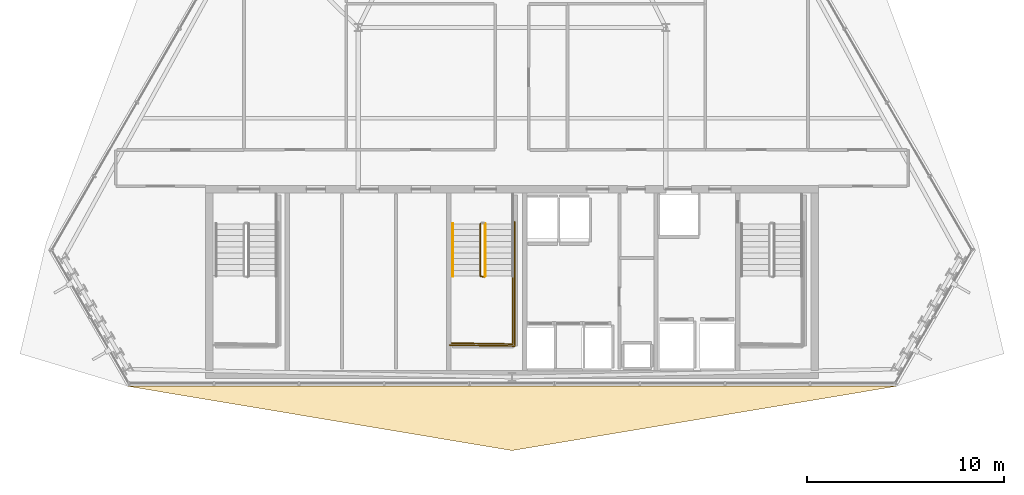
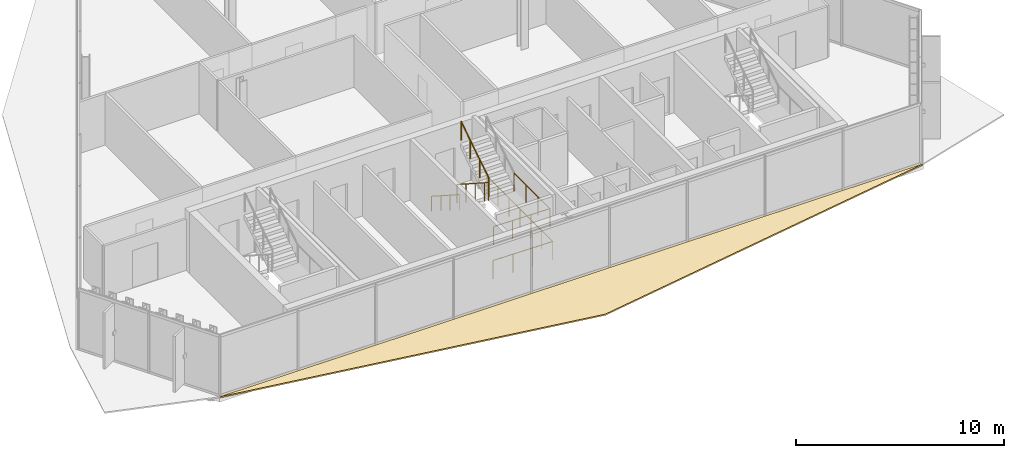
# One storey, part 33 of 37: 5 railings, 1 covering.
"""IFC4 building model written with IfcOpenShell, lengths in metres."""

from ifc_helpers import new_model, si_unit, direction, frame, origin, origin_2d, place, context, subcontext, project, spatial, polyline, circle, outline, extrude, material, layer, layer_set, type_object, element, save


model = new_model("IFC4")

# Units and contexts
model_context = context("Model", 3, precision=1e-05, world=origin(), true_north=direction((0.0, 1.0)))
body_context = subcontext(model_context, "Body", "Model", "MODEL_VIEW")
ifc_project = project(units=[si_unit("LENGTHUNIT", "METRE"), si_unit("AREAUNIT", "SQUARE_METRE"), si_unit("VOLUMEUNIT", "CUBIC_METRE"), si_unit("PLANEANGLEUNIT", "RADIAN"), si_unit("MASSUNIT", "GRAM", prefix="KILO")], contexts=[model_context])

# Site, building, storey
site_placement = place(None, origin())
site = spatial("IfcSite", under=ifc_project, at=site_placement, CompositionType="ELEMENT")
building_placement = place(site_placement, origin())
building = spatial("IfcBuilding", under=site, at=building_placement, Name="Ndaravel Arena Tower", CompositionType="ELEMENT")
storey_placement = place(building_placement, frame((0.0, 0.0, 218.0)))
storey = spatial("IfcBuildingStorey", under=building, at=storey_placement, Name="L52", CompositionType="ELEMENT", Elevation=218.0)

# Covering
ifc_material_1 = material(Name="Roofing Membrane", Category="finish")
ifc_layer_1 = layer(ifc_material_1, 0.080078125)
ifc_layer_set_1 = layer_set([ifc_layer_1], Name="Roofing Membrane")
covering_type = type_object("IfcCoveringType", Name="COV-ROOF-MEMB", PredefinedType="ROOFING", material=ifc_layer_set_1)
covering_placement = place(storey_placement, origin())
element("IfcCovering", 1, at=covering_placement, inside=storey, type_object=covering_type, Name="L52 Facet Setback Weathering Flashing", PredefinedType="ROOFING", context=body_context, shape_type="SweptSolid", body=[
    extrude(outline(polyline([(61.42919921875, 5.0), (42.0, 1.75), (22.57080078125, 5.0), (22.50439453125, 5.02001953125), (61.49560546875, 5.02001953125), (61.42919921875, 5.0)])), origin(), (0.0, 0.0, 1.0), 0.080078125),
])

# Railings
ifc_material_2 = material(Name="Steel S355", Category="steel")
ifc_layer_2 = layer(ifc_material_2, 0.06005859375)
ifc_layer_set_2 = layer_set([ifc_layer_2], Name="Steel S355")
railing_type_1 = type_object("IfcRailingType", Name="RAIL-STAIR-GD1100", PredefinedType="GUARDRAIL", material=ifc_layer_set_2)
railing_1_placement = place(storey_placement, frame((40.39990234375, 13.25, 0.18994140625)))
element("IfcRailing", 2, at=railing_1_placement, inside=storey, type_object=railing_type_1, Name="L52 ST-2 stair guard 1", PredefinedType="GUARDRAIL", context=body_context, shape_type="SweptSolid", body=[
    extrude(circle(Radius=0.02392578125, at=origin_2d()), frame((0.0, 0.0, 1.076171875), z_axis=(0.0, -0.840723540582, 0.54146461409), x_axis=(1.0, 0.0, 0.0)), (0.0, 0.0, 1.0), 3.157958984375),
    extrude(circle(Radius=0.02392578125, at=origin_2d()), frame((0.0, -2.655029296875, 2.7861328125), z_axis=(0.967074537263, -0.25449329928, 0.0), x_axis=(0.25449329928, 0.967074537263, 0.0)), (0.0, 0.0, 1.0), 0.19677734375),
    extrude(circle(Radius=0.02099609375, at=origin_2d()), origin(), (0.0, 0.0, 1.0), 1.052001953125),
    extrude(circle(Radius=0.02099609375, at=origin_2d()), frame((0.0, -0.885009765625, 0.570068359375)), (0.0, 0.0, 1.0), 1.052001953125),
    extrude(circle(Radius=0.02099609375, at=origin_2d()), frame((0.0, -1.77001953125, 1.139892578125)), (0.0, 0.0, 1.0), 1.052001953125),
    extrude(circle(Radius=0.02099609375, at=origin_2d()), frame((0.0, -2.655029296875, 1.7099609375)), (0.0, 0.0, 1.0), 1.052001953125),
    extrude(circle(Radius=0.02099609375, at=origin_2d()), frame((0.190185546875, -2.705078125, 1.7099609375)), (0.0, 0.0, 1.0), 1.052001953125),
])
railing_2_placement = place(storey_placement, frame((42.0400390625, 10.594970703125, 1.89990234375)))
element("IfcRailing", 3, at=railing_2_placement, inside=storey, type_object=railing_type_1, Name="L52 ST-2 stair guard 2", PredefinedType="GUARDRAIL", context=body_context, shape_type="SweptSolid", body=[
    extrude(circle(Radius=0.02392578125, at=origin_2d()), frame((0.0, 0.0, 1.076171875), z_axis=(0.0, -1.0, 0.0), x_axis=(1.0, 0.0, 0.0)), (0.0, 0.0, 1.0), 3.445068359375),
    extrude(circle(Radius=0.02392578125, at=origin_2d()), frame((0.0, -3.445068359375, 1.076171875), z_axis=(-0.999868861343, 0.016194447071, 0.0), x_axis=(-0.016194447071, -0.999868861343, 0.0)), (0.0, 0.0, 1.0), 3.090576171875),
    extrude(circle(Radius=0.02099609375, at=origin_2d()), origin(), (0.0, 0.0, 1.0), 1.052001953125),
    extrude(circle(Radius=0.02099609375, at=origin_2d()), frame((0.0, -1.1484375, 0.0)), (0.0, 0.0, 1.0), 1.052001953125),
    extrude(circle(Radius=0.02099609375, at=origin_2d()), frame((0.0, -2.296630859375, 0.0)), (0.0, 0.0, 1.0), 1.052001953125),
    extrude(circle(Radius=0.02099609375, at=origin_2d()), frame((0.0, -3.445068359375, 0.0)), (0.0, 0.0, 1.0), 1.052001953125),
    extrude(circle(Radius=0.02099609375, at=origin_2d()), frame((-1.030029296875, -3.428466796875, 0.0)), (0.0, 0.0, 1.0), 1.052001953125),
    extrude(circle(Radius=0.02099609375, at=origin_2d()), frame((-2.06005859375, -3.41162109375, 0.0)), (0.0, 0.0, 1.0), 1.052001953125),
    extrude(circle(Radius=0.02099609375, at=origin_2d()), frame((-3.090087890625, -3.39501953125, 0.0)), (0.0, 0.0, 1.0), 1.052001953125),
])
railing_3_placement = place(storey_placement, frame((40.639892578125, 10.594970703125, 2.090087890625)))
element("IfcRailing", 4, at=railing_3_placement, inside=storey, type_object=railing_type_1, Name="L52 ST-2 stair guard 3", PredefinedType="GUARDRAIL", context=body_context, shape_type="SweptSolid", body=[
    extrude(circle(Radius=0.02392578125, at=origin_2d()), frame((0.0, 0.0, 1.076171875), z_axis=(0.0, 0.840723540582, 0.54146461409), x_axis=(-1.0, 0.0, 0.0)), (0.0, 0.0, 1.0), 3.157958984375),
    extrude(circle(Radius=0.02099609375, at=origin_2d()), origin(), (0.0, 0.0, 1.0), 1.052001953125),
    extrude(circle(Radius=0.02099609375, at=origin_2d()), frame((0.0, 0.885009765625, 0.570068359375)), (0.0, 0.0, 1.0), 1.052001953125),
    extrude(circle(Radius=0.02099609375, at=origin_2d()), frame((0.0, 1.77001953125, 1.139892578125)), (0.0, 0.0, 1.0), 1.052001953125),
    extrude(circle(Radius=0.02099609375, at=origin_2d()), frame((0.0, 2.655029296875, 1.7099609375)), (0.0, 0.0, 1.0), 1.052001953125),
])
railing_4_placement = place(storey_placement, frame((42.139892578125, 13.35009765625, 0.0)))
element("IfcRailing", 5, at=railing_4_placement, inside=storey, type_object=railing_type_1, Name="L52 ST-2 stair guard 6", PredefinedType="GUARDRAIL", context=body_context, shape_type="SweptSolid", body=[
    extrude(circle(Radius=0.02392578125, at=origin_2d()), frame((0.0, 0.0, 1.076171875), z_axis=(0.0, -1.0, 0.0), x_axis=(1.0, 0.0, 0.0)), (0.0, 0.0, 1.0), 6.300048828125),
    extrude(circle(Radius=0.02392578125, at=origin_2d()), frame((0.0, -6.300048828125, 1.076171875), z_axis=(-0.999884296952, 0.015211597839, 0.0), x_axis=(-0.015211597839, -0.999884296952, 0.0)), (0.0, 0.0, 1.0), 3.290283203125),
    extrude(circle(Radius=0.02099609375, at=origin_2d()), origin(), (0.0, 0.0, 1.0), 1.052001953125),
    extrude(circle(Radius=0.02099609375, at=origin_2d()), frame((0.0, -1.050048828125, 0.0)), (0.0, 0.0, 1.0), 1.052001953125),
    extrude(circle(Radius=0.02099609375, at=origin_2d()), frame((0.0, -2.10009765625, 0.0)), (0.0, 0.0, 1.0), 1.052001953125),
    extrude(circle(Radius=0.02099609375, at=origin_2d()), frame((0.0, -3.14990234375, 0.0)), (0.0, 0.0, 1.0), 1.052001953125),
    extrude(circle(Radius=0.02099609375, at=origin_2d()), frame((0.0, -4.199951171875, 0.0)), (0.0, 0.0, 1.0), 1.052001953125),
    extrude(circle(Radius=0.02099609375, at=origin_2d()), frame((0.0, -5.25, 0.0)), (0.0, 0.0, 1.0), 1.052001953125),
    extrude(circle(Radius=0.02099609375, at=origin_2d()), frame((0.0, -6.300048828125, 0.0)), (0.0, 0.0, 1.0), 1.052001953125),
    extrude(circle(Radius=0.02099609375, at=origin_2d()), frame((-1.0966796875, -6.283447265625, 0.0)), (0.0, 0.0, 1.0), 1.052001953125),
    extrude(circle(Radius=0.02099609375, at=origin_2d()), frame((-2.193115234375, -6.2666015625, 0.0)), (0.0, 0.0, 1.0), 1.052001953125),
    extrude(circle(Radius=0.02099609375, at=origin_2d()), frame((-3.289794921875, -6.25, 0.0)), (0.0, 0.0, 1.0), 1.052001953125),
])
ifc_material_3 = material(Name="Steel S355", Category="steel")
ifc_layer_3 = layer(ifc_material_3, 0.050048828125)
ifc_layer_set_3 = layer_set([ifc_layer_3], Name="Steel S355")
railing_type_2 = type_object("IfcRailingType", Name="RAIL-STAIR-HR920", PredefinedType="HANDRAIL", material=ifc_layer_set_3)
railing_5_placement = place(storey_placement, frame((39.0, 13.25, 0.18994140625)))
element("IfcRailing", 6, at=railing_5_placement, inside=storey, type_object=railing_type_2, Name="L52 ST-2 stair handrail 1", PredefinedType="HANDRAIL", context=body_context, shape_type="SweptSolid", body=[
    extrude(circle(Radius=0.02392578125, at=origin_2d()), frame((0.0, 0.0, 0.8759765625), z_axis=(0.0, -0.840723540582, 0.54146461409), x_axis=(1.0, 0.0, 0.0)), (0.0, 0.0, 1.0), 3.157958984375),
    extrude(circle(Radius=0.02099609375, at=origin_2d()), origin(), (0.0, 0.0, 1.0), 0.851806640625),
    extrude(circle(Radius=0.02099609375, at=origin_2d()), frame((0.0, -0.885009765625, 0.570068359375)), (0.0, 0.0, 1.0), 0.851806640625),
    extrude(circle(Radius=0.02099609375, at=origin_2d()), frame((0.0, -1.77001953125, 1.139892578125)), (0.0, 0.0, 1.0), 0.851806640625),
    extrude(circle(Radius=0.02099609375, at=origin_2d()), frame((0.0, -2.655029296875, 1.7099609375)), (0.0, 0.0, 1.0), 0.851806640625),
])

save(model, "model.ifc")
